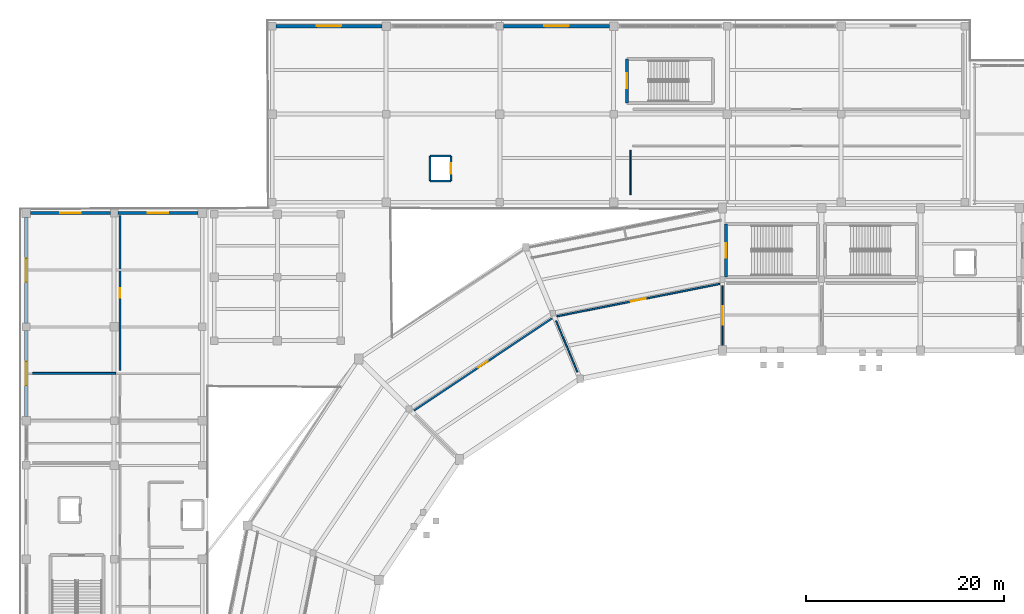
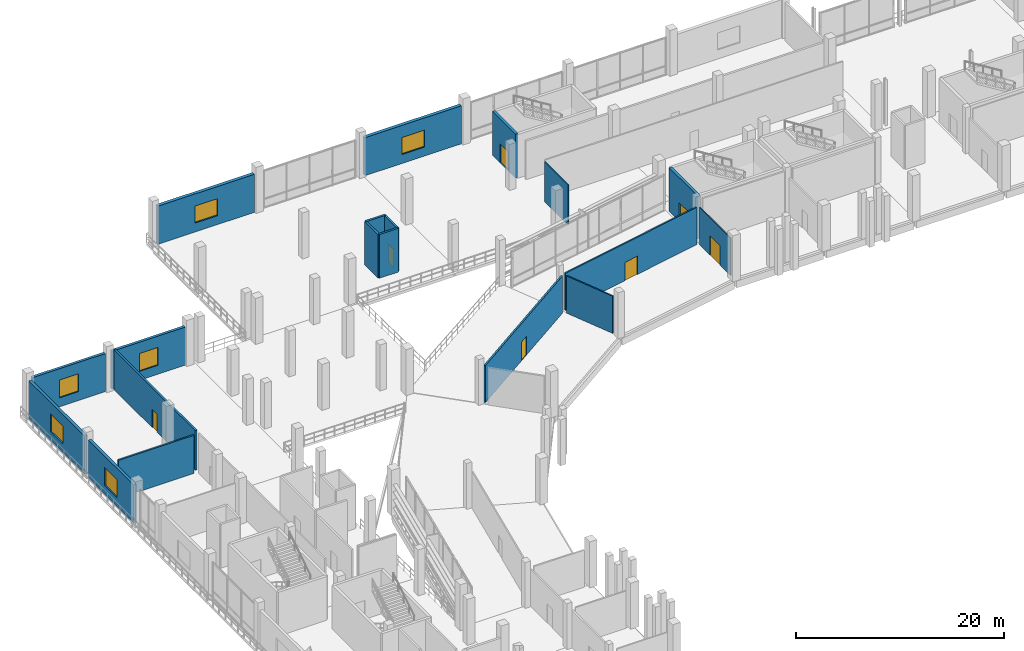
# One storey, part 81 of 114: 19 walls, 7 doors, 6 windows, 13 openings.
"""IFC4 building model written with IfcOpenShell, lengths in metres."""

from ifc_helpers import new_model, si_unit, direction, frame, frame_2d, origin, place, context, subcontext, project, spatial, rectangle, extrude, material, layer, layer_set, type_object, element, fill, save


model = new_model("IFC4")

# Units and contexts
model_context = context("Model", 3, precision=1e-05, world=origin(), true_north=direction((0.0, 1.0)))
body_context = subcontext(model_context, "Body", "Model", "MODEL_VIEW")
ifc_project = project(units=[si_unit("LENGTHUNIT", "METRE"), si_unit("AREAUNIT", "SQUARE_METRE"), si_unit("VOLUMEUNIT", "CUBIC_METRE"), si_unit("PLANEANGLEUNIT", "RADIAN"), si_unit("MASSUNIT", "GRAM", prefix="KILO")], contexts=[model_context])

# Site, building, storey
site_placement = place(None, origin())
site = spatial("IfcSite", under=ifc_project, at=site_placement, CompositionType="ELEMENT")
building_placement = place(site_placement, origin())
building = spatial("IfcBuilding", under=site, at=building_placement, Name="Candeia Ridge Stadium", CompositionType="ELEMENT")
storey_placement = place(building_placement, frame((0.0, 0.0, 5.39990234375)))
storey = spatial("IfcBuildingStorey", under=building, at=storey_placement, Name="L01", CompositionType="ELEMENT", Elevation=5.39990234375)

# Wall
ifc_material_1 = material(Name="Gypsum Metal-Stud Partition", Category="gypsum")
ifc_layer_1 = layer(ifc_material_1, 0.14501953125, Name="Gypsum Metal-Stud Partition", Category="gypsum")
ifc_layer_set_1 = layer_set([ifc_layer_1], Name="Gypsum Metal-Stud Partition")
wall_type_1 = type_object("IfcWallType", Name="Athlete Recovery Partition 145", PredefinedType="PARTITIONING", material=ifc_layer_set_1)
wall_1_placement = place(storey_placement, frame((56.32421875, 130.4306640625, 0.0), z_axis=(0.0, 0.0, 1.0), x_axis=(-0.382682918336, 0.923879745429, 0.0)))
element("IfcWall", 1, at=wall_1_placement, inside=storey, type_object=wall_type_1, Name="Demising partition PT-L01-0287", PredefinedType="PARTITIONING", context=body_context, shape_type="SweptSolid", body=[
    extrude(rectangle(XDim=5.60009765625, YDim=0.14501953125, at=frame_2d((2.800048828125, 0.0))), origin(), (0.0, 0.0, 1.0), 4.364990234375),
])

# Wall, opening, door
ifc_material_2 = material(Name="Gypsum Acoustic Twin-Stud Assembly", Category="gypsum")
ifc_layer_2 = layer(ifc_material_2, 0.159912109375, Name="Gypsum Acoustic Twin-Stud Assembly", Category="gypsum")
ifc_layer_set_2 = layer_set([ifc_layer_2], Name="Gypsum Acoustic Twin-Stud Assembly")
wall_type_2 = type_object("IfcWallType", Name="Club Dining Acoustic Partition 160", PredefinedType="PARTITIONING", material=ifc_layer_set_2)
wall_2_placement = place(storey_placement, frame((54.254150390625, 136.069091796875, 0.0), z_axis=(0.0, 0.0, 1.0), x_axis=(0.980786027867, 0.195086564225, 0.0)))
wall_2 = element("IfcWall", 2, at=wall_2_placement, inside=storey, type_object=wall_type_2, Name="Interior partition PT-L01-0286", PredefinedType="PARTITIONING", context=body_context, shape_type="SweptSolid", body=[
    extrude(rectangle(XDim=16.783203125, YDim=0.159912109375, at=frame_2d((8.3916015625, 0.0))), origin(), (0.0, 0.0, 1.0), 4.375),
])
opening_1_placement = place(wall_2_placement, frame((7.61669921875, 0.0, 0.0)))
opening_1 = element("IfcOpeningElement", 3, at=opening_1_placement, cuts=wall_2, Name="Opening ID14", PredefinedType="OPENING", context=body_context, shape_type="SweptSolid", body=[
    extrude(rectangle(XDim=1.550048828125, YDim=2.14990234375, at=frame_2d((0.77490234375, 1.074951171875))), frame((0.0, 0.08984375, 0.0), z_axis=(0.0, -1.0, 0.0), x_axis=(1.0, 0.0, 0.0)), (0.0, 0.0, 1.0), 0.179931640625),
])
ifc_material_3 = material(Name="Brushed Stainless Steel", Category="steel")
door_type_1 = type_object("IfcDoorType", Name="Catering Kitchen Double Door 1550x2150", OperationType="NOTDEFINED", PredefinedType="DOOR", material=ifc_material_3)
door_1_placement = place(opening_1_placement, origin())
door_1 = element("IfcDoor", 4, at=door_1_placement, inside=storey, type_object=door_type_1, Name="Interior room door D-L01-0148", OperationType="DOUBLE_DOOR_SINGLE_SWING", OverallHeight=2.14990234375, OverallWidth=1.550048828125, PredefinedType="DOOR", context=body_context, shape_type="SweptSolid", body=[
    extrude(rectangle(XDim=1.550048828125, YDim=2.14990234375, at=frame_2d((0.77490234375, 1.074951171875))), frame((0.0, 0.02490234375, 0.0), z_axis=(0.0, -1.0, 0.0), x_axis=(1.0, 0.0, 0.0)), (0.0, 0.0, 1.0), 0.050048828125),
])
fill(opening_1, door_1)

ifc_material_4 = material(Name="Concrete C45/55", Category="concrete")
ifc_layer_3 = layer(ifc_material_4, 0.300048828125, Name="Concrete C45/55", Category="concrete")
ifc_layer_set_3 = layer_set([ifc_layer_3], Name="Concrete C45/55")
wall_type_3 = type_object("IfcWallType", Name="Core Shear Wall Concrete 300", PredefinedType="SHEAR", material=ifc_layer_set_3)
wall_3_placement = place(storey_placement, frame((71.350341796875, 145.399658203125, 0.0), z_axis=(0.0, 0.0, 1.0), x_axis=(0.0, -1.0, 0.0)))
wall_3 = element("IfcWall", 5, at=wall_3_placement, inside=storey, type_object=wall_type_3, Name="Core C01 near shear wall L01", PredefinedType="SHEAR", context=body_context, shape_type="SweptSolid", body=[
    extrude(rectangle(XDim=5.349365234375, YDim=0.300048828125, at=frame_2d((2.6748046875, 0.0))), origin(), (0.0, 0.0, 1.0), 5.14013671875),
])
opening_2_placement = place(wall_3_placement, frame((1.924560546875, 0.0, 0.0)))
opening_2 = element("IfcOpeningElement", 6, at=opening_2_placement, cuts=wall_3, Name="Opening FD01", PredefinedType="OPENING", context=body_context, shape_type="SweptSolid", body=[
    extrude(rectangle(XDim=1.5, YDim=2.199951171875, at=frame_2d((0.75, 1.10009765625))), frame((0.0, 0.159912109375, 0.0), z_axis=(0.0, -1.0, 0.0), x_axis=(1.0, 0.0, 0.0)), (0.0, 0.0, 1.0), 0.320068359375),
])
ifc_material_5 = material(Name="Galvanized Fire-Rated Steel", Category="steel")
door_type_2 = type_object("IfcDoorType", Name="Exit Stair Core Fire Door 1500x2200", OperationType="NOTDEFINED", PredefinedType="DOOR", material=ifc_material_5)
door_2_placement = place(opening_2_placement, origin())
door_2 = element("IfcDoor", 7, at=door_2_placement, inside=storey, type_object=door_type_2, Name="Exit stair fire door SD-ST01-L01", OperationType="DOUBLE_DOOR_SINGLE_SWING", OverallHeight=2.199951171875, OverallWidth=1.5, PredefinedType="DOOR", context=body_context, shape_type="SweptSolid", body=[
    extrude(rectangle(XDim=1.5, YDim=2.199951171875, at=frame_2d((0.75, 1.10009765625))), frame((0.0, 0.02490234375, 0.0), z_axis=(0.0, -1.0, 0.0), x_axis=(1.0, 0.0, 0.0)), (0.0, 0.0, 1.0), 0.050048828125),
])
fill(opening_2, door_2)

wall_4_placement = place(storey_placement, frame((61.350341796875, 162.099609375, 0.0), z_axis=(0.0, 0.0, 1.0), x_axis=(0.0, -1.0, 0.0)))
wall_4 = element("IfcWall", 8, at=wall_4_placement, inside=storey, type_object=wall_type_3, Name="Core C15 near shear wall L01", PredefinedType="SHEAR", context=body_context, shape_type="SweptSolid", body=[
    extrude(rectangle(XDim=4.44921875, YDim=0.300048828125, at=frame_2d((2.224609375, 0.0))), origin(), (0.0, 0.0, 1.0), 5.14013671875),
])
opening_3_placement = place(wall_4_placement, frame((1.474609375, 0.0, 0.0)))
opening_3 = element("IfcOpeningElement", 9, at=opening_3_placement, cuts=wall_4, Name="Opening FD01", PredefinedType="OPENING", context=body_context, shape_type="SweptSolid", body=[
    extrude(rectangle(XDim=1.5, YDim=2.199951171875, at=frame_2d((0.75, 1.10009765625))), frame((0.0, 0.159912109375, 0.0), z_axis=(0.0, -1.0, 0.0), x_axis=(1.0, 0.0, 0.0)), (0.0, 0.0, 1.0), 0.320068359375),
])
door_3_placement = place(opening_3_placement, origin())
door_3 = element("IfcDoor", 10, at=door_3_placement, inside=storey, type_object=door_type_2, Name="Exit stair fire door SD-ST15-L01", OperationType="DOUBLE_DOOR_SINGLE_SWING", OverallHeight=2.199951171875, OverallWidth=1.5, PredefinedType="DOOR", context=body_context, shape_type="SweptSolid", body=[
    extrude(rectangle(XDim=1.5, YDim=2.199951171875, at=frame_2d((0.75, 1.10009765625))), frame((0.0, 0.02490234375, 0.0), z_axis=(0.0, -1.0, 0.0), x_axis=(1.0, 0.0, 0.0)), (0.0, 0.0, 1.0), 0.050048828125),
])
fill(opening_3, door_3)

# Wall, opening, window
ifc_material_6 = material(Name="Concrete C40/50", Category="concrete")
ifc_layer_4 = layer(ifc_material_6, 0.360107421875, Name="Concrete C40/50", Category="concrete")
ifc_layer_set_4 = layer_set([ifc_layer_4], Name="Concrete C40/50")
wall_type_4 = type_object("IfcWallType", Name="Exterior Basalt Plinth Wall 360", PredefinedType="SOLIDWALL", material=ifc_layer_set_4)
wall_5_placement = place(storey_placement, frame((25.863037109375, 165.39990234375, 0.0), z_axis=(0.0, 0.0, 1.0), x_axis=(1.0, 0.0, 0.0)))
wall_5 = element("IfcWall", 11, at=wall_5_placement, inside=storey, type_object=wall_type_4, Name="Exterior facade wall EW-L01-0202", PredefinedType="SOLIDWALL", context=body_context, shape_type="SweptSolid", body=[
    extrude(rectangle(XDim=10.723876953125, YDim=0.360107421875, at=frame_2d((5.36181640625, 0.0))), origin(), (0.0, 0.0, 1.0), 4.47509765625),
])
opening_4_placement = place(wall_5_placement, frame((4.112060546875, 0.0, 1.050048828125)))
opening_4 = element("IfcOpeningElement", 12, at=opening_4_placement, cuts=wall_5, Name="Opening W13", PredefinedType="OPENING", context=body_context, shape_type="SweptSolid", body=[
    extrude(rectangle(XDim=2.5, YDim=2.0, at=frame_2d((1.25, 1.0))), frame((0.0, 0.18994140625, 0.0), z_axis=(0.0, -1.0, 0.0), x_axis=(1.0, 0.0, 0.0)), (0.0, 0.0, 1.0), 0.380126953125),
])
ifc_material_7 = material(Name="Tempered Solar-Control Double Glazing", Category="glass")
window_type_1 = type_object("IfcWindowType", Name="Ticketing Hall Window 2500x2000", PartitioningType="SINGLE_PANEL", PredefinedType="WINDOW", material=ifc_material_7)
window_1_placement = place(opening_4_placement, origin())
window_1 = element("IfcWindow", 13, at=window_1_placement, inside=storey, type_object=window_type_1, Name="Exterior window WIN-L01-109", OverallHeight=2.0, OverallWidth=2.5, PartitioningType="SINGLE_PANEL", PredefinedType="WINDOW", context=body_context, shape_type="SweptSolid", body=[
    extrude(rectangle(XDim=2.5, YDim=2.0, at=frame_2d((1.25, 1.0))), frame((0.0, 0.030029296875, 0.0), z_axis=(0.0, -1.0, 0.0), x_axis=(1.0, 0.0, 0.0)), (0.0, 0.0, 1.0), 0.06005859375),
])
fill(opening_4, window_1)

wall_6_placement = place(storey_placement, frame((48.863037109375, 165.39990234375, 0.0), z_axis=(0.0, 0.0, 1.0), x_axis=(1.0, 0.0, 0.0)))
wall_6 = element("IfcWall", 14, at=wall_6_placement, inside=storey, type_object=wall_type_4, Name="Exterior facade wall EW-L01-0203", PredefinedType="SOLIDWALL", context=body_context, shape_type="SweptSolid", body=[
    extrude(rectangle(XDim=10.723876953125, YDim=0.360107421875, at=frame_2d((5.36181640625, 0.0))), origin(), (0.0, 0.0, 1.0), 4.47509765625),
])
opening_5_placement = place(wall_6_placement, frame((4.112060546875, 0.0, 1.050048828125)))
opening_5 = element("IfcOpeningElement", 15, at=opening_5_placement, cuts=wall_6, Name="Opening W13", PredefinedType="OPENING", context=body_context, shape_type="SweptSolid", body=[
    extrude(rectangle(XDim=2.5, YDim=2.0, at=frame_2d((1.25, 1.0))), frame((0.0, 0.18994140625, 0.0), z_axis=(0.0, -1.0, 0.0), x_axis=(1.0, 0.0, 0.0)), (0.0, 0.0, 1.0), 0.380126953125),
])
window_2_placement = place(opening_5_placement, origin())
window_2 = element("IfcWindow", 16, at=window_2_placement, inside=storey, type_object=window_type_1, Name="Exterior window WIN-L01-110", OverallHeight=2.0, OverallWidth=2.5, PartitioningType="SINGLE_PANEL", PredefinedType="WINDOW", context=body_context, shape_type="SweptSolid", body=[
    extrude(rectangle(XDim=2.5, YDim=2.0, at=frame_2d((1.25, 1.0))), frame((0.0, 0.030029296875, 0.0), z_axis=(0.0, -1.0, 0.0), x_axis=(1.0, 0.0, 0.0)), (0.0, 0.0, 1.0), 0.06005859375),
])
fill(opening_5, window_2)

ifc_material_8 = material(Name="Concrete C35/45", Category="concrete")
ifc_layer_5 = layer(ifc_material_8, 0.320068359375, Name="Concrete C35/45", Category="concrete")
ifc_layer_set_5 = layer_set([ifc_layer_5], Name="Concrete C35/45")
wall_type_5 = type_object("IfcWallType", Name="Exterior Cedar-Clad Insulated Wall 320", PredefinedType="SOLIDWALL", material=ifc_layer_set_5)
wall_7_placement = place(storey_placement, frame((0.60009765625, 125.9130859375, 0.0), z_axis=(0.0, 0.0, 1.0), x_axis=(0.0, 1.0, 0.0)))
wall_7 = element("IfcWall", 17, at=wall_7_placement, inside=storey, type_object=wall_type_5, Name="Exterior facade wall EW-L01-0069", PredefinedType="SOLIDWALL", context=body_context, shape_type="SweptSolid", body=[
    extrude(rectangle(XDim=8.723876953125, YDim=0.320068359375, at=frame_2d((4.36181640625, 0.0))), origin(), (0.0, 0.0, 1.0), 4.47509765625),
])
opening_6_placement = place(wall_7_placement, frame((3.162109375, 0.0, 1.050048828125)))
opening_6 = element("IfcOpeningElement", 18, at=opening_6_placement, cuts=wall_7, Name="Opening W03", PredefinedType="OPENING", context=body_context, shape_type="SweptSolid", body=[
    extrude(rectangle(XDim=2.39990234375, YDim=2.10009765625, at=frame_2d((1.199951171875, 1.050048828125))), frame((0.0, 0.169921875, 0.0), z_axis=(0.0, -1.0, 0.0), x_axis=(1.0, 0.0, 0.0)), (0.0, 0.0, 1.0), 0.340087890625),
])
window_type_2 = type_object("IfcWindowType", Name="Hospitality Ribbon Window 2400x2100", PartitioningType="SINGLE_PANEL", PredefinedType="WINDOW", material=ifc_material_7)
window_3_placement = place(opening_6_placement, origin())
window_3 = element("IfcWindow", 19, at=window_3_placement, inside=storey, type_object=window_type_2, Name="Exterior window WIN-L01-024", OverallHeight=2.10009765625, OverallWidth=2.39990234375, PartitioningType="SINGLE_PANEL", PredefinedType="WINDOW", context=body_context, shape_type="SweptSolid", body=[
    extrude(rectangle(XDim=2.39990234375, YDim=2.10009765625, at=frame_2d((1.199951171875, 1.050048828125))), frame((0.0, 0.030029296875, 0.0), z_axis=(0.0, -1.0, 0.0), x_axis=(1.0, 0.0, 0.0)), (0.0, 0.0, 1.0), 0.06005859375),
])
fill(opening_6, window_3)

wall_8_placement = place(storey_placement, frame((0.60009765625, 135.363037109375, 0.0), z_axis=(0.0, 0.0, 1.0), x_axis=(0.0, 1.0, 0.0)))
wall_8 = element("IfcWall", 20, at=wall_8_placement, inside=storey, type_object=wall_type_5, Name="Exterior facade wall EW-L01-0070", PredefinedType="SOLIDWALL", context=body_context, shape_type="SweptSolid", body=[
    extrude(rectangle(XDim=10.723876953125, YDim=0.320068359375, at=frame_2d((5.36181640625, 0.0))), origin(), (0.0, 0.0, 1.0), 4.47509765625),
])
opening_7_placement = place(wall_8_placement, frame((4.162109375, 0.0, 1.050048828125)))
opening_7 = element("IfcOpeningElement", 21, at=opening_7_placement, cuts=wall_8, Name="Opening W03", PredefinedType="OPENING", context=body_context, shape_type="SweptSolid", body=[
    extrude(rectangle(XDim=2.39990234375, YDim=2.10009765625, at=frame_2d((1.199951171875, 1.050048828125))), frame((0.0, 0.169921875, 0.0), z_axis=(0.0, -1.0, 0.0), x_axis=(1.0, 0.0, 0.0)), (0.0, 0.0, 1.0), 0.340087890625),
])
window_4_placement = place(opening_7_placement, origin())
window_4 = element("IfcWindow", 22, at=window_4_placement, inside=storey, type_object=window_type_2, Name="Exterior window WIN-L01-025", OverallHeight=2.10009765625, OverallWidth=2.39990234375, PartitioningType="SINGLE_PANEL", PredefinedType="WINDOW", context=body_context, shape_type="SweptSolid", body=[
    extrude(rectangle(XDim=2.39990234375, YDim=2.10009765625, at=frame_2d((1.199951171875, 1.050048828125))), frame((0.0, 0.030029296875, 0.0), z_axis=(0.0, -1.0, 0.0), x_axis=(1.0, 0.0, 0.0)), (0.0, 0.0, 1.0), 0.06005859375),
])
fill(opening_7, window_4)

ifc_layer_6 = layer(ifc_material_8, 0.300048828125, Name="Concrete C35/45", Category="concrete")
ifc_layer_set_6 = layer_set([ifc_layer_6], Name="Concrete C35/45")
wall_type_6 = type_object("IfcWallType", Name="Exterior Pavilion Rainscreen Wall 300", PredefinedType="SOLIDWALL", material=ifc_layer_set_6)
wall_9_placement = place(storey_placement, frame((1.012939453125, 146.5, 0.0), z_axis=(0.0, 0.0, 1.0), x_axis=(1.0, 0.0, 0.0)))
wall_9 = element("IfcWall", 23, at=wall_9_placement, inside=storey, type_object=wall_type_6, Name="Exterior facade wall EW-L01-0073", PredefinedType="SOLIDWALL", context=body_context, shape_type="SweptSolid", body=[
    extrude(rectangle(XDim=8.1240234375, YDim=0.300048828125, at=frame_2d((4.06201171875, 0.0))), origin(), (0.0, 0.0, 1.0), 4.47509765625),
])
opening_8_placement = place(wall_9_placement, frame((3.011962890625, 0.0, 1.050048828125)))
opening_8 = element("IfcOpeningElement", 24, at=opening_8_placement, cuts=wall_9, Name="Opening W04", PredefinedType="OPENING", context=body_context, shape_type="SweptSolid", body=[
    extrude(rectangle(XDim=2.10009765625, YDim=2.10009765625, at=frame_2d((1.050048828125, 1.050048828125))), frame((0.0, 0.159912109375, 0.0), z_axis=(0.0, -1.0, 0.0), x_axis=(1.0, 0.0, 0.0)), (0.0, 0.0, 1.0), 0.320068359375),
])
window_type_3 = type_object("IfcWindowType", Name="Hospitality Ribbon Window 2100x2100", PartitioningType="SINGLE_PANEL", PredefinedType="WINDOW", material=ifc_material_7)
window_5_placement = place(opening_8_placement, origin())
window_5 = element("IfcWindow", 25, at=window_5_placement, inside=storey, type_object=window_type_3, Name="Exterior window WIN-L01-028", OverallHeight=2.10009765625, OverallWidth=2.10009765625, PartitioningType="SINGLE_PANEL", PredefinedType="WINDOW", context=body_context, shape_type="SweptSolid", body=[
    extrude(rectangle(XDim=2.10009765625, YDim=2.10009765625, at=frame_2d((1.050048828125, 1.050048828125))), frame((0.0, 0.030029296875, 0.0), z_axis=(0.0, -1.0, 0.0), x_axis=(1.0, 0.0, 0.0)), (0.0, 0.0, 1.0), 0.06005859375),
])
fill(opening_8, window_5)

wall_10_placement = place(storey_placement, frame((9.863037109375, 146.5, 0.0), z_axis=(0.0, 0.0, 1.0), x_axis=(1.0, 0.0, 0.0)))
wall_10 = element("IfcWall", 26, at=wall_10_placement, inside=storey, type_object=wall_type_6, Name="Exterior facade wall EW-L01-0074", PredefinedType="SOLIDWALL", context=body_context, shape_type="SweptSolid", body=[
    extrude(rectangle(XDim=8.1240234375, YDim=0.300048828125, at=frame_2d((4.06201171875, 0.0))), origin(), (0.0, 0.0, 1.0), 4.47509765625),
])
opening_9_placement = place(wall_10_placement, frame((3.011962890625, 0.0, 1.050048828125)))
opening_9 = element("IfcOpeningElement", 27, at=opening_9_placement, cuts=wall_10, Name="Opening W04", PredefinedType="OPENING", context=body_context, shape_type="SweptSolid", body=[
    extrude(rectangle(XDim=2.10009765625, YDim=2.10009765625, at=frame_2d((1.050048828125, 1.050048828125))), frame((0.0, 0.159912109375, 0.0), z_axis=(0.0, -1.0, 0.0), x_axis=(1.0, 0.0, 0.0)), (0.0, 0.0, 1.0), 0.320068359375),
])
window_6_placement = place(opening_9_placement, origin())
window_6 = element("IfcWindow", 28, at=window_6_placement, inside=storey, type_object=window_type_3, Name="Exterior window WIN-L01-029", OverallHeight=2.10009765625, OverallWidth=2.10009765625, PartitioningType="SINGLE_PANEL", PredefinedType="WINDOW", context=body_context, shape_type="SweptSolid", body=[
    extrude(rectangle(XDim=2.10009765625, YDim=2.10009765625, at=frame_2d((1.050048828125, 1.050048828125))), frame((0.0, 0.030029296875, 0.0), z_axis=(0.0, -1.0, 0.0), x_axis=(1.0, 0.0, 0.0)), (0.0, 0.0, 1.0), 0.06005859375),
])
fill(opening_9, window_6)

# Wall
ifc_layer_7 = layer(ifc_material_6, 0.219970703125, Name="Concrete C40/50", Category="concrete")
ifc_layer_set_7 = layer_set([ifc_layer_7], Name="Concrete C40/50")
wall_type_7 = type_object("IfcWallType", Name="Lift & Riser Shaft Wall 220", PredefinedType="SHEAR", material=ifc_layer_set_7)
wall_11_placement = place(storey_placement, frame((41.43994140625, 149.739990234375, 0.0), z_axis=(0.0, 0.0, 1.0), x_axis=(1.0, 0.0, 0.0)))
element("IfcWall", 29, at=wall_11_placement, inside=storey, type_object=wall_type_7, Name="Lift PL7 shaft wall L01 south", PredefinedType="SHEAR", context=body_context, shape_type="SweptSolid", body=[
    extrude(rectangle(XDim=2.1201171875, YDim=0.219970703125, at=frame_2d((1.06005859375, 0.0))), origin(), (0.0, 0.0, 1.0), 5.14013671875),
])

# Wall, opening, door
wall_12_placement = place(storey_placement, frame((43.56005859375, 149.739990234375, 0.0), z_axis=(0.0, 0.0, 1.0), x_axis=(0.0, 1.0, 0.0)))
wall_12 = element("IfcWall", 30, at=wall_12_placement, inside=storey, type_object=wall_type_7, Name="Lift PL7 shaft wall L01 east", PredefinedType="SHEAR", context=body_context, shape_type="SweptSolid", body=[
    extrude(rectangle(XDim=2.52001953125, YDim=0.219970703125, at=frame_2d((1.260009765625, 0.0))), origin(), (0.0, 0.0, 1.0), 5.14013671875),
])
opening_10_placement = place(wall_12_placement, frame((0.735107421875, 0.0, 0.0)))
opening_10 = element("IfcOpeningElement", 31, at=opening_10_placement, cuts=wall_12, Name="Opening LD02", PredefinedType="OPENING", context=body_context, shape_type="SweptSolid", body=[
    extrude(rectangle(XDim=1.050048828125, YDim=2.14990234375, at=frame_2d((0.52490234375, 1.074951171875))), frame((0.0, 0.119873046875, 0.0), z_axis=(0.0, -1.0, 0.0), x_axis=(1.0, 0.0, 0.0)), (0.0, 0.0, 1.0), 0.239990234375),
])
door_type_3 = type_object("IfcDoorType", Name="Passenger Lift Landing Door 1050x2150", OperationType="NOTDEFINED", PredefinedType="DOOR", material=ifc_material_3)
door_4_placement = place(opening_10_placement, origin())
door_4 = element("IfcDoor", 32, at=door_4_placement, inside=storey, type_object=door_type_3, Name="Lift landing sliding door LD-PL7-L01", OperationType="DOUBLE_DOOR_SLIDING", OverallHeight=2.14990234375, OverallWidth=1.050048828125, PredefinedType="DOOR", context=body_context, shape_type="SweptSolid", body=[
    extrude(rectangle(XDim=1.050048828125, YDim=2.14990234375, at=frame_2d((0.52490234375, 1.074951171875))), frame((0.0, 0.02490234375, 0.0), z_axis=(0.0, -1.0, 0.0), x_axis=(1.0, 0.0, 0.0)), (0.0, 0.0, 1.0), 0.050048828125),
])
fill(opening_10, door_4)

# Walls
wall_13_placement = place(storey_placement, frame((43.56005859375, 152.260009765625, 0.0), z_axis=(0.0, 0.0, 1.0), x_axis=(-1.0, 0.0, 0.0)))
element("IfcWall", 33, at=wall_13_placement, inside=storey, type_object=wall_type_7, Name="Lift PL7 shaft wall L01 north", PredefinedType="SHEAR", context=body_context, shape_type="SweptSolid", body=[
    extrude(rectangle(XDim=2.1201171875, YDim=0.219970703125, at=frame_2d((1.06005859375, 0.0))), origin(), (0.0, 0.0, 1.0), 5.14013671875),
])
wall_14_placement = place(storey_placement, frame((41.43994140625, 152.260009765625, 0.0), z_axis=(0.0, 0.0, 1.0), x_axis=(0.0, -1.0, 0.0)))
element("IfcWall", 34, at=wall_14_placement, inside=storey, type_object=wall_type_7, Name="Lift PL7 shaft wall L01 west", PredefinedType="SHEAR", context=body_context, shape_type="SweptSolid", body=[
    extrude(rectangle(XDim=2.52001953125, YDim=0.219970703125, at=frame_2d((1.260009765625, 0.0))), origin(), (0.0, 0.0, 1.0), 5.14013671875),
])
ifc_material_9 = material(Name="Gypsum Acoustic Triple-Board Wall", Category="gypsum")
ifc_layer_8 = layer(ifc_material_9, 0.18994140625, Name="Gypsum Acoustic Triple-Board Wall", Category="gypsum")
ifc_layer_set_8 = layer_set([ifc_layer_8], Name="Gypsum Acoustic Triple-Board Wall")
wall_type_8 = type_object("IfcWallType", Name="Media & Commentary Studio Wall 190", PredefinedType="PARTITIONING", material=ifc_layer_set_8)
wall_15_placement = place(storey_placement, frame((1.25, 130.300048828125, 0.0), z_axis=(0.0, 0.0, 1.0), x_axis=(1.0, 0.0, 0.0)))
element("IfcWall", 35, at=wall_15_placement, inside=storey, type_object=wall_type_8, Name="Demising partition PT-L01-0194", PredefinedType="PARTITIONING", context=body_context, shape_type="SweptSolid", body=[
    extrude(rectangle(XDim=8.39990234375, YDim=0.18994140625, at=frame_2d((4.199951171875, 0.0))), origin(), (0.0, 0.0, 1.0), 4.47509765625),
])

# Wall, opening, door
ifc_layer_9 = layer(ifc_material_9, 0.18505859375, Name="Gypsum Acoustic Triple-Board Wall", Category="gypsum")
ifc_layer_set_9 = layer_set([ifc_layer_9], Name="Gypsum Acoustic Triple-Board Wall")
wall_type_9 = type_object("IfcWallType", Name="Media Booth Studio Divider 185", PredefinedType="PARTITIONING", material=ifc_layer_set_9)
wall_16_placement = place(storey_placement, frame((39.8125, 126.534423828125, 0.0), z_axis=(0.0, 0.0, 1.0), x_axis=(0.831467963177, 0.555572701103, 0.0)))
wall_16 = element("IfcWall", 36, at=wall_16_placement, inside=storey, type_object=wall_type_9, Name="Interior partition PT-L01-0288", PredefinedType="PARTITIONING", context=body_context, shape_type="SweptSolid", body=[
    extrude(rectangle(XDim=16.782958984375, YDim=0.18505859375, at=frame_2d((8.3916015625, 0.0))), origin(), (0.0, 0.0, 1.0), 4.364990234375),
])
opening_11_placement = place(wall_16_placement, frame((7.83154296875, 0.0, 0.0)))
opening_11 = element("IfcOpeningElement", 37, at=opening_11_placement, cuts=wall_16, Name="Opening ID18", PredefinedType="OPENING", context=body_context, shape_type="SweptSolid", body=[
    extrude(rectangle(XDim=1.1201171875, YDim=2.199951171875, at=frame_2d((0.56005859375, 1.10009765625))), frame((0.0, 0.1025390625, 0.0), z_axis=(0.0, -1.0, 0.0), x_axis=(1.0, 0.0, 0.0)), (0.0, 0.0, 1.0), 0.205078125),
])
door_type_4 = type_object("IfcDoorType", Name="Control Room Security Door 1120x2200", OperationType="NOTDEFINED", PredefinedType="DOOR", material=ifc_material_5)
door_5_placement = place(opening_11_placement, frame((1.1201171875, 0.0, 0.0), z_axis=(0.0, 0.0, 1.0), x_axis=(-1.0, 0.0, 0.0)))
door_5 = element("IfcDoor", 38, at=door_5_placement, inside=storey, type_object=door_type_4, Name="Interior room door D-L01-0149", OperationType="SINGLE_SWING_LEFT", OverallHeight=2.199951171875, OverallWidth=1.1201171875, PredefinedType="DOOR", context=body_context, shape_type="SweptSolid", body=[
    extrude(rectangle(XDim=1.1201171875, YDim=2.199951171875, at=frame_2d((0.56005859375, 1.10009765625))), frame((0.0, 0.02490234375, 0.0), z_axis=(0.0, -1.0, 0.0), x_axis=(1.0, 0.0, 0.0)), (0.0, 0.0, 1.0), 0.050048828125),
])
fill(opening_11, door_5)

ifc_material_10 = material(Name="Moisture-Resistant Masonry & Tile", Category="masonry")
ifc_layer_10 = layer(ifc_material_10, 0.2099609375, Name="Moisture-Resistant Masonry & Tile", Category="masonry")
ifc_layer_set_10 = layer_set([ifc_layer_10], Name="Moisture-Resistant Masonry & Tile")
wall_type_10 = type_object("IfcWallType", Name="Sanitary Wet-Wall Plumbing Chase 210", PredefinedType="PLUMBINGWALL", material=ifc_layer_set_10)
wall_17_placement = place(storey_placement, frame((10.10009765625, 146.25, 0.0), z_axis=(0.0, 0.0, 1.0), x_axis=(0.0, -1.0, 0.0)))
wall_17 = element("IfcWall", 39, at=wall_17_placement, inside=storey, type_object=wall_type_10, Name="Interior partition PT-L01-0195", PredefinedType="PLUMBINGWALL", context=body_context, shape_type="SweptSolid", body=[
    extrude(rectangle(XDim=15.659912109375, YDim=0.2099609375, at=frame_2d((7.830078125, 0.0))), origin(), (0.0, 0.0, 1.0), 4.668212890625),
])
opening_12_placement = place(wall_17_placement, frame((7.35009765625, 0.0, 0.0)))
opening_12 = element("IfcOpeningElement", 40, at=opening_12_placement, cuts=wall_17, Name="Opening ID17", PredefinedType="OPENING", context=body_context, shape_type="SweptSolid", body=[
    extrude(rectangle(XDim=0.9599609375, YDim=2.14990234375, at=frame_2d((0.47998046875, 1.074951171875))), frame((0.0, 0.114990234375, 0.0), z_axis=(0.0, -1.0, 0.0), x_axis=(1.0, 0.0, 0.0)), (0.0, 0.0, 1.0), 0.22998046875),
])
ifc_material_11 = material(Name="Solid Core Cedar Veneer", Category="wood")
door_type_5 = type_object("IfcDoorType", Name="Ticketing Office Single Door 960x2150", OperationType="NOTDEFINED", PredefinedType="DOOR", material=ifc_material_11)
door_6_placement = place(opening_12_placement, frame((0.9599609375, 0.0, 0.0), z_axis=(0.0, 0.0, 1.0), x_axis=(-1.0, 0.0, 0.0)))
door_6 = element("IfcDoor", 41, at=door_6_placement, inside=storey, type_object=door_type_5, Name="Interior room door D-L01-0102", OperationType="SINGLE_SWING_LEFT", OverallHeight=2.14990234375, OverallWidth=0.9599609375, PredefinedType="DOOR", context=body_context, shape_type="SweptSolid", body=[
    extrude(rectangle(XDim=0.9599609375, YDim=2.14990234375, at=frame_2d((0.47998046875, 1.074951171875))), frame((0.0, 0.02490234375, 0.0), z_axis=(0.0, -1.0, 0.0), x_axis=(1.0, 0.0, 0.0)), (0.0, 0.0, 1.0), 0.050048828125),
])
fill(opening_12, door_6)

# Wall
ifc_layer_11 = layer(ifc_material_1, 0.1201171875, Name="Gypsum Metal-Stud Partition", Category="gypsum")
ifc_layer_set_11 = layer_set([ifc_layer_11], Name="Gypsum Metal-Stud Partition")
wall_type_11 = type_object("IfcWallType", Name="Suite Internal Divider 120", PredefinedType="PARTITIONING", material=ifc_layer_set_11)
wall_18_placement = place(storey_placement, frame((61.699951171875, 148.35009765625, 0.0), z_axis=(0.0, 0.0, 1.0), x_axis=(0.0, 1.0, 0.0)))
element("IfcWall", 42, at=wall_18_placement, inside=storey, type_object=wall_type_11, Name="Demising partition PT-L01-0253", PredefinedType="PARTITIONING", context=body_context, shape_type="SweptSolid", body=[
    extrude(rectangle(XDim=4.5, YDim=0.1201171875, at=frame_2d((2.25, 0.0))), origin(), (0.0, 0.0, 1.0), 4.675048828125),
])

# Wall, opening, door
wall_19_placement = place(storey_placement, frame((71.0, 133.14990234375, 0.0), z_axis=(0.0, 0.0, 1.0), x_axis=(0.0, 1.0, 0.0)))
wall_19 = element("IfcWall", 43, at=wall_19_placement, inside=storey, type_object=wall_type_11, Name="Interior partition PT-L01-0284", PredefinedType="PARTITIONING", context=body_context, shape_type="SweptSolid", body=[
    extrude(rectangle(XDim=6.0, YDim=0.1201171875, at=frame_2d((3.0, 0.0))), origin(), (0.0, 0.0, 1.0), 4.375),
])
opening_13_placement = place(wall_19_placement, frame((2.050048828125, 0.0, 0.0)))
opening_13 = element("IfcOpeningElement", 44, at=opening_13_placement, cuts=wall_19, Name="Opening ID10", PredefinedType="OPENING", context=body_context, shape_type="SweptSolid", body=[
    extrude(rectangle(XDim=1.89990234375, YDim=2.300048828125, at=frame_2d((0.949951171875, 1.14990234375))), frame((0.0, 0.070068359375, 0.0), z_axis=(0.0, -1.0, 0.0), x_axis=(1.0, 0.0, 0.0)), (0.0, 0.0, 1.0), 0.14013671875),
])
ifc_material_12 = material(Name="Timber Fire-Rated Acoustic", Category="wood")
door_type_6 = type_object("IfcDoorType", Name="Museum Exhibition Double Door 1900x2300", OperationType="NOTDEFINED", PredefinedType="DOOR", material=ifc_material_12)
door_7_placement = place(opening_13_placement, origin())
door_7 = element("IfcDoor", 45, at=door_7_placement, inside=storey, type_object=door_type_6, Name="Interior room door D-L01-0147", OperationType="DOUBLE_DOOR_SINGLE_SWING", OverallHeight=2.300048828125, OverallWidth=1.89990234375, PredefinedType="DOOR", context=body_context, shape_type="SweptSolid", body=[
    extrude(rectangle(XDim=1.89990234375, YDim=2.300048828125, at=frame_2d((0.949951171875, 1.14990234375))), frame((0.0, 0.02490234375, 0.0), z_axis=(0.0, -1.0, 0.0), x_axis=(1.0, 0.0, 0.0)), (0.0, 0.0, 1.0), 0.050048828125),
])
fill(opening_13, door_7)

save(model, "model.ifc")
